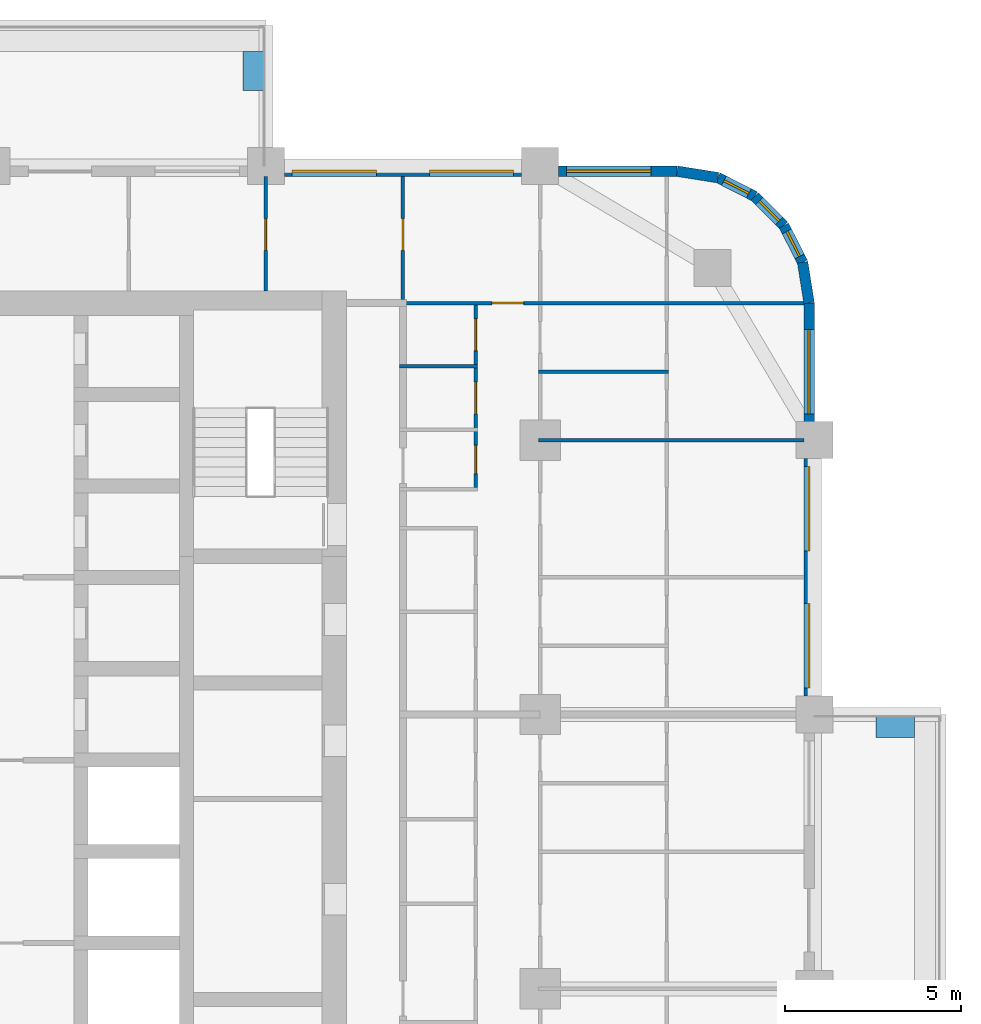
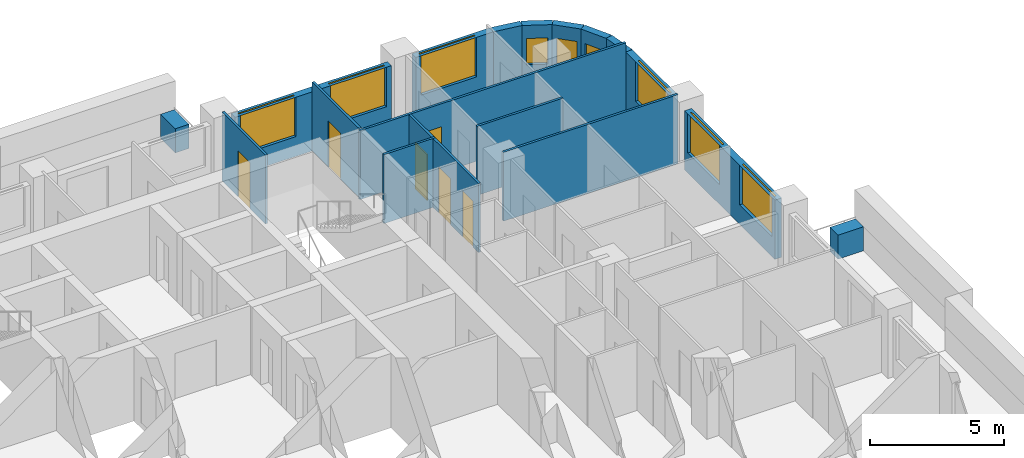
# One storey, part 13 of 17: 18 walls, 9 windows, 6 doors, 15 openings.
"""IFC4 building model written with IfcOpenShell, lengths in metres."""

from ifc_helpers import new_model, si_unit, direction, frame, frame_2d, origin, place, context, subcontext, project, spatial, rectangle, extrude, material, layer, layer_set, type_object, element, fill, save


model = new_model("IFC4")

# Units and contexts
model_context = context("Model", 3, precision=1e-05, world=origin(), true_north=direction((0.0, 1.0)))
body_context = subcontext(model_context, "Body", "Model", "MODEL_VIEW")
ifc_project = project(units=[si_unit("LENGTHUNIT", "METRE"), si_unit("AREAUNIT", "SQUARE_METRE"), si_unit("VOLUMEUNIT", "CUBIC_METRE"), si_unit("PLANEANGLEUNIT", "RADIAN"), si_unit("MASSUNIT", "GRAM", prefix="KILO")], contexts=[model_context])

# Site, building, storey
site_placement = place(None, origin())
site = spatial("IfcSite", under=ifc_project, at=site_placement, CompositionType="ELEMENT")
building_placement = place(site_placement, origin())
building = spatial("IfcBuilding", under=site, at=building_placement, Name="Ludao Terraces", CompositionType="ELEMENT")
storey_placement = place(building_placement, frame((0.0, 0.0, 54.60009765625)))
storey = spatial("IfcBuildingStorey", under=building, at=storey_placement, Name="L14", CompositionType="ELEMENT", Elevation=54.60009765625)

# Walls
ifc_material_1 = material(Name="Concrete C40", Category="concrete")
ifc_layer_1 = layer(ifc_material_1, 0.60009765625)
ifc_layer_set_1 = layer_set([ifc_layer_1], Name="ENV Planter trough 600")
wall_type_1 = type_object("IfcWallType", Name="ENV Planter trough 600", PredefinedType="USERDEFINED", material=ifc_layer_set_1)
wall_1_placement = place(storey_placement, frame((111.25, 72.449951171875, 0.0), z_axis=(0.0, 0.0, 1.0), x_axis=(-1.0, 0.0, 0.0)))
element("IfcWall", 1, at=wall_1_placement, inside=storey, type_object=wall_type_1, Name="PL-L14-E3-SB", ObjectType="PLANTER", PredefinedType="USERDEFINED", context=body_context, shape_type="SweptSolid", body=[
    extrude(rectangle(XDim=1.10009765625, YDim=0.60009765625, at=frame_2d((0.550048828125, 0.0))), origin(), (0.0, 0.0, 1.0), 1.099853515625),
])
wall_2_placement = place(storey_placement, frame((92.449951171875, 91.64990234375, 0.0), z_axis=(0.0, 0.0, 1.0), x_axis=(0.0, -1.0, 0.0)))
element("IfcWall", 2, at=wall_2_placement, inside=storey, type_object=wall_type_1, Name="PL-L14-N3-SB", ObjectType="PLANTER", PredefinedType="USERDEFINED", context=body_context, shape_type="SweptSolid", body=[
    extrude(rectangle(XDim=1.099853515625, YDim=0.60009765625, at=frame_2d((0.5498046875, 0.0))), origin(), (0.0, 0.0, 1.0), 1.099853515625),
])

# Wall, openings, windows
ifc_material_2 = material(Name="Granite cladding", Category="masonry")
ifc_layer_2 = layer(ifc_material_2, 0.0400390625, Category="stone")
ifc_material_3 = material(Name="Mineral wool")
ifc_layer_3 = layer(ifc_material_3, 0.06005859375)
ifc_layer_4 = layer(ifc_material_1, 0.199951171875, Category="concrete")
ifc_layer_set_2 = layer_set([ifc_layer_2, ifc_layer_3, ifc_layer_4], Name="ENV Stone-clad wall 300")
wall_type_2 = type_object("IfcWallType", Name="ENV Stone-clad wall 300", PredefinedType="SOLIDWALL", material=ifc_layer_set_2)
wall_3_placement = place(storey_placement, frame((108.25, 73.324951171875, 0.0), z_axis=(0.0, 0.0, 1.0), x_axis=(0.0, 1.0, 0.0)))
wall_3 = element("IfcWall", 3, at=wall_3_placement, inside=storey, type_object=wall_type_2, Name="EW-L14-E5", PredefinedType="SOLIDWALL", context=body_context, shape_type="SweptSolid", body=[
    extrude(rectangle(XDim=6.75, YDim=0.300048828125, at=frame_2d((3.375, 0.0))), origin(), (0.0, 0.0, 1.0), 2.699951171875),
])
opening_1_placement = place(wall_3_placement, frame((0.22509765625, 0.0, 0.89990234375)))
opening_1 = element("IfcOpeningElement", 4, at=opening_1_placement, cuts=wall_3, Name="Opening W1", PredefinedType="OPENING", context=body_context, shape_type="SweptSolid", body=[
    extrude(rectangle(XDim=2.39990234375, YDim=1.800048828125, at=frame_2d((1.199951171875, 0.89990234375))), frame((0.0, 0.16015625, 0.0), z_axis=(0.0, -1.0, 0.0), x_axis=(1.0, 0.0, 0.0)), (0.0, 0.0, 1.0), 0.320068359375),
])
opening_2_placement = place(wall_3_placement, frame((4.125, 0.0, 0.89990234375)))
opening_2 = element("IfcOpeningElement", 5, at=opening_2_placement, cuts=wall_3, Name="Opening W1", PredefinedType="OPENING", context=body_context, shape_type="SweptSolid", body=[
    extrude(rectangle(XDim=2.39990234375, YDim=1.800048828125, at=frame_2d((1.199951171875, 0.89990234375))), frame((0.0, 0.16015625, 0.0), z_axis=(0.0, -1.0, 0.0), x_axis=(1.0, 0.0, 0.0)), (0.0, 0.0, 1.0), 0.320068359375),
])
ifc_material_4 = material(Name="Clear glass in aluminium frame", Category="aluminium")
ifc_layer_5 = layer(ifc_material_4, 0.06005859375)
ifc_layer_set_3 = layer_set([ifc_layer_5], Name="ENV Window W1 2400x1800")
window_type_1 = type_object("IfcWindowType", Name="ENV Window W1 2400x1800", PartitioningType="DOUBLE_PANEL_VERTICAL", PredefinedType="WINDOW", material=ifc_layer_set_3)
window_1_placement = place(opening_1_placement, origin())
window_1 = element("IfcWindow", 6, at=window_1_placement, inside=storey, type_object=window_type_1, Name="W-L14-E5-1", OverallHeight=1.800048828125, OverallWidth=2.39990234375, PartitioningType="DOUBLE_PANEL_VERTICAL", PredefinedType="WINDOW", context=body_context, shape_type="SweptSolid", body=[
    extrude(rectangle(XDim=2.39990234375, YDim=1.800048828125, at=frame_2d((1.199951171875, 0.89990234375))), frame((0.0, 0.030029296875, 0.0), z_axis=(0.0, -1.0, 0.0), x_axis=(1.0, 0.0, 0.0)), (0.0, 0.0, 1.0), 0.06005859375),
])
fill(opening_1, window_1)
window_2_placement = place(opening_2_placement, origin())
window_2 = element("IfcWindow", 7, at=window_2_placement, inside=storey, type_object=window_type_1, Name="W-L14-E5-2", OverallHeight=1.800048828125, OverallWidth=2.39990234375, PartitioningType="DOUBLE_PANEL_VERTICAL", PredefinedType="WINDOW", context=body_context, shape_type="SweptSolid", body=[
    extrude(rectangle(XDim=2.39990234375, YDim=1.800048828125, at=frame_2d((1.199951171875, 0.89990234375))), frame((0.0, 0.030029296875, 0.0), z_axis=(0.0, -1.0, 0.0), x_axis=(1.0, 0.0, 0.0)), (0.0, 0.0, 1.0), 0.06005859375),
])
fill(opening_2, window_2)

# Wall, opening, window
wall_4_placement = place(storey_placement, frame((108.25, 81.125, 0.0), z_axis=(0.0, 0.0, 1.0), x_axis=(0.0, 1.0, 0.0)))
wall_4 = element("IfcWall", 8, at=wall_4_placement, inside=storey, type_object=wall_type_2, Name="EW-L14-E6", PredefinedType="SOLIDWALL", context=body_context, shape_type="SweptSolid", body=[
    extrude(rectangle(XDim=3.375, YDim=0.300048828125, at=frame_2d((1.6875, 0.0))), origin(), (0.0, 0.0, 1.0), 2.699951171875),
])
opening_3_placement = place(wall_4_placement, frame((0.22509765625, 0.0, 0.89990234375)))
opening_3 = element("IfcOpeningElement", 9, at=opening_3_placement, cuts=wall_4, Name="Opening W1", PredefinedType="OPENING", context=body_context, shape_type="SweptSolid", body=[
    extrude(rectangle(XDim=2.39990234375, YDim=1.800048828125, at=frame_2d((1.199951171875, 0.89990234375))), frame((0.0, 0.16015625, 0.0), z_axis=(0.0, -1.0, 0.0), x_axis=(1.0, 0.0, 0.0)), (0.0, 0.0, 1.0), 0.320068359375),
])
window_3_placement = place(opening_3_placement, origin())
window_3 = element("IfcWindow", 10, at=window_3_placement, inside=storey, type_object=window_type_1, Name="W-L14-E6-1", OverallHeight=1.800048828125, OverallWidth=2.39990234375, PartitioningType="DOUBLE_PANEL_VERTICAL", PredefinedType="WINDOW", context=body_context, shape_type="SweptSolid", body=[
    extrude(rectangle(XDim=2.39990234375, YDim=1.800048828125, at=frame_2d((1.199951171875, 0.89990234375))), frame((0.0, 0.030029296875, 0.0), z_axis=(0.0, -1.0, 0.0), x_axis=(1.0, 0.0, 0.0)), (0.0, 0.0, 1.0), 0.06005859375),
])
fill(opening_3, window_3)

# Wall, openings, windows
wall_5_placement = place(storey_placement, frame((93.324951171875, 88.25, 0.0), z_axis=(0.0, 0.0, 1.0), x_axis=(1.0, 0.0, 0.0)))
wall_5 = element("IfcWall", 11, at=wall_5_placement, inside=storey, type_object=wall_type_2, Name="EW-L14-N5", PredefinedType="SOLIDWALL", context=body_context, shape_type="SweptSolid", body=[
    extrude(rectangle(XDim=6.75, YDim=0.300048828125, at=frame_2d((3.375, 0.0))), origin(), (0.0, 0.0, 1.0), 2.699951171875),
])
opening_4_placement = place(wall_5_placement, frame((0.22509765625, 0.0, 0.89990234375)))
opening_4 = element("IfcOpeningElement", 12, at=opening_4_placement, cuts=wall_5, Name="Opening W1", PredefinedType="OPENING", context=body_context, shape_type="SweptSolid", body=[
    extrude(rectangle(XDim=2.39990234375, YDim=1.800048828125, at=frame_2d((1.199951171875, 0.89990234375))), frame((0.0, 0.16015625, 0.0), z_axis=(0.0, -1.0, 0.0), x_axis=(1.0, 0.0, 0.0)), (0.0, 0.0, 1.0), 0.320068359375),
])
opening_5_placement = place(wall_5_placement, frame((4.125, 0.0, 0.89990234375)))
opening_5 = element("IfcOpeningElement", 13, at=opening_5_placement, cuts=wall_5, Name="Opening W1", PredefinedType="OPENING", context=body_context, shape_type="SweptSolid", body=[
    extrude(rectangle(XDim=2.39990234375, YDim=1.800048828125, at=frame_2d((1.199951171875, 0.89990234375))), frame((0.0, 0.16015625, 0.0), z_axis=(0.0, -1.0, 0.0), x_axis=(1.0, 0.0, 0.0)), (0.0, 0.0, 1.0), 0.320068359375),
])
window_4_placement = place(opening_4_placement, origin())
window_4 = element("IfcWindow", 14, at=window_4_placement, inside=storey, type_object=window_type_1, Name="W-L14-N5-1", OverallHeight=1.800048828125, OverallWidth=2.39990234375, PartitioningType="DOUBLE_PANEL_VERTICAL", PredefinedType="WINDOW", context=body_context, shape_type="SweptSolid", body=[
    extrude(rectangle(XDim=2.39990234375, YDim=1.800048828125, at=frame_2d((1.199951171875, 0.89990234375))), frame((0.0, 0.030029296875, 0.0), z_axis=(0.0, -1.0, 0.0), x_axis=(1.0, 0.0, 0.0)), (0.0, 0.0, 1.0), 0.06005859375),
])
fill(opening_4, window_4)
window_5_placement = place(opening_5_placement, origin())
window_5 = element("IfcWindow", 15, at=window_5_placement, inside=storey, type_object=window_type_1, Name="W-L14-N5-2", OverallHeight=1.800048828125, OverallWidth=2.39990234375, PartitioningType="DOUBLE_PANEL_VERTICAL", PredefinedType="WINDOW", context=body_context, shape_type="SweptSolid", body=[
    extrude(rectangle(XDim=2.39990234375, YDim=1.800048828125, at=frame_2d((1.199951171875, 0.89990234375))), frame((0.0, 0.030029296875, 0.0), z_axis=(0.0, -1.0, 0.0), x_axis=(1.0, 0.0, 0.0)), (0.0, 0.0, 1.0), 0.06005859375),
])
fill(opening_5, window_5)

# Wall, opening, window
wall_6_placement = place(storey_placement, frame((101.125, 88.25, 0.0), z_axis=(0.0, 0.0, 1.0), x_axis=(1.0, 0.0, 0.0)))
wall_6 = element("IfcWall", 16, at=wall_6_placement, inside=storey, type_object=wall_type_2, Name="EW-L14-N6", PredefinedType="SOLIDWALL", context=body_context, shape_type="SweptSolid", body=[
    extrude(rectangle(XDim=3.375, YDim=0.300048828125, at=frame_2d((1.6875, 0.0))), origin(), (0.0, 0.0, 1.0), 2.699951171875),
])
opening_6_placement = place(wall_6_placement, frame((0.22509765625, 0.0, 0.89990234375)))
opening_6 = element("IfcOpeningElement", 17, at=opening_6_placement, cuts=wall_6, Name="Opening W1", PredefinedType="OPENING", context=body_context, shape_type="SweptSolid", body=[
    extrude(rectangle(XDim=2.39990234375, YDim=1.800048828125, at=frame_2d((1.199951171875, 0.89990234375))), frame((0.0, 0.16015625, 0.0), z_axis=(0.0, -1.0, 0.0), x_axis=(1.0, 0.0, 0.0)), (0.0, 0.0, 1.0), 0.320068359375),
])
window_6_placement = place(opening_6_placement, origin())
window_6 = element("IfcWindow", 18, at=window_6_placement, inside=storey, type_object=window_type_1, Name="W-L14-N6-1", OverallHeight=1.800048828125, OverallWidth=2.39990234375, PartitioningType="DOUBLE_PANEL_VERTICAL", PredefinedType="WINDOW", context=body_context, shape_type="SweptSolid", body=[
    extrude(rectangle(XDim=2.39990234375, YDim=1.800048828125, at=frame_2d((1.199951171875, 0.89990234375))), frame((0.0, 0.030029296875, 0.0), z_axis=(0.0, -1.0, 0.0), x_axis=(1.0, 0.0, 0.0)), (0.0, 0.0, 1.0), 0.06005859375),
])
fill(opening_6, window_6)

# Wall
wall_7_placement = place(storey_placement, frame((108.25, 84.5, 0.0), z_axis=(0.0, 0.0, 1.0), x_axis=(-0.156496880861, 0.987678452879, 0.0)))
element("IfcWall", 19, at=wall_7_placement, inside=storey, type_object=wall_type_2, Name="EW-L14-NE1", PredefinedType="SOLIDWALL", context=body_context, shape_type="SweptSolid", body=[
    extrude(rectangle(XDim=1.173095703125, YDim=0.300048828125, at=frame_2d((0.58642578125, 0.0))), origin(), (0.0, 0.0, 1.0), 2.699951171875),
])

# Wall, opening, window
wall_8_placement = place(storey_placement, frame((108.06640625, 85.65869140625, 0.0), z_axis=(0.0, 0.0, 1.0), x_axis=(-0.454025524128, 0.890988677504, 0.0)))
wall_8 = element("IfcWall", 20, at=wall_8_placement, inside=storey, type_object=wall_type_2, Name="EW-L14-NE2", PredefinedType="SOLIDWALL", context=body_context, shape_type="SweptSolid", body=[
    extrude(rectangle(XDim=1.17333984375, YDim=0.300048828125, at=frame_2d((0.586669921875, 0.0))), origin(), (0.0, 0.0, 1.0), 2.699951171875),
])
opening_7_placement = place(wall_8_placement, frame((0.1865234375, 0.0, 0.89990234375)))
opening_7 = element("IfcOpeningElement", 21, at=opening_7_placement, cuts=wall_8, Name="Opening W3", PredefinedType="OPENING", context=body_context, shape_type="SweptSolid", body=[
    extrude(rectangle(XDim=0.800048828125, YDim=1.199951171875, at=frame_2d((0.39990234375, 0.60009765625))), frame((0.0, 0.16015625, 0.0), z_axis=(0.0, -1.0, 0.0), x_axis=(1.0, 0.0, 0.0)), (0.0, 0.0, 1.0), 0.320068359375),
])
ifc_layer_6 = layer(ifc_material_4, 0.06005859375)
ifc_layer_set_4 = layer_set([ifc_layer_6], Name="ENV Window W3 800x1200")
window_type_2 = type_object("IfcWindowType", Name="ENV Window W3 800x1200", PartitioningType="SINGLE_PANEL", PredefinedType="WINDOW", material=ifc_layer_set_4)
window_7_placement = place(opening_7_placement, origin())
window_7 = element("IfcWindow", 22, at=window_7_placement, inside=storey, type_object=window_type_2, Name="W-L14-NE2", OverallHeight=1.199951171875, OverallWidth=0.800048828125, PartitioningType="SINGLE_PANEL", PredefinedType="WINDOW", context=body_context, shape_type="SweptSolid", body=[
    extrude(rectangle(XDim=0.800048828125, YDim=1.199951171875, at=frame_2d((0.39990234375, 0.60009765625))), frame((0.0, 0.030029296875, 0.0), z_axis=(0.0, -1.0, 0.0), x_axis=(1.0, 0.0, 0.0)), (0.0, 0.0, 1.0), 0.06005859375),
])
fill(opening_7, window_7)

wall_9_placement = place(storey_placement, frame((107.53369140625, 86.7041015625, 0.0), z_axis=(0.0, 0.0, 1.0), x_axis=(-0.707106781187, 0.707106781187, 0.0)))
wall_9 = element("IfcWall", 23, at=wall_9_placement, inside=storey, type_object=wall_type_2, Name="EW-L14-NE3", PredefinedType="SOLIDWALL", context=body_context, shape_type="SweptSolid", body=[
    extrude(rectangle(XDim=1.173095703125, YDim=0.300048828125, at=frame_2d((0.58642578125, 0.0))), origin(), (0.0, 0.0, 1.0), 2.699951171875),
])
opening_8_placement = place(wall_9_placement, frame((0.1865234375, 0.0, 0.89990234375)))
opening_8 = element("IfcOpeningElement", 24, at=opening_8_placement, cuts=wall_9, Name="Opening W3", PredefinedType="OPENING", context=body_context, shape_type="SweptSolid", body=[
    extrude(rectangle(XDim=0.800048828125, YDim=1.199951171875, at=frame_2d((0.39990234375, 0.60009765625))), frame((0.0, 0.16015625, 0.0), z_axis=(0.0, -1.0, 0.0), x_axis=(1.0, 0.0, 0.0)), (0.0, 0.0, 1.0), 0.320068359375),
])
window_8_placement = place(opening_8_placement, origin())
window_8 = element("IfcWindow", 25, at=window_8_placement, inside=storey, type_object=window_type_2, Name="W-L14-NE3", OverallHeight=1.199951171875, OverallWidth=0.800048828125, PartitioningType="SINGLE_PANEL", PredefinedType="WINDOW", context=body_context, shape_type="SweptSolid", body=[
    extrude(rectangle(XDim=0.800048828125, YDim=1.199951171875, at=frame_2d((0.39990234375, 0.60009765625))), frame((0.0, 0.030029296875, 0.0), z_axis=(0.0, -1.0, 0.0), x_axis=(1.0, 0.0, 0.0)), (0.0, 0.0, 1.0), 0.06005859375),
])
fill(opening_8, window_8)

wall_10_placement = place(storey_placement, frame((106.7041015625, 87.53369140625, 0.0), z_axis=(0.0, 0.0, 1.0), x_axis=(-0.890988677504, 0.454025524128, 0.0)))
wall_10 = element("IfcWall", 26, at=wall_10_placement, inside=storey, type_object=wall_type_2, Name="EW-L14-NE4", PredefinedType="SOLIDWALL", context=body_context, shape_type="SweptSolid", body=[
    extrude(rectangle(XDim=1.17333984375, YDim=0.300048828125, at=frame_2d((0.586669921875, 0.0))), origin(), (0.0, 0.0, 1.0), 2.699951171875),
])
opening_9_placement = place(wall_10_placement, frame((0.1865234375, 0.0, 0.89990234375)))
opening_9 = element("IfcOpeningElement", 27, at=opening_9_placement, cuts=wall_10, Name="Opening W3", PredefinedType="OPENING", context=body_context, shape_type="SweptSolid", body=[
    extrude(rectangle(XDim=0.800048828125, YDim=1.199951171875, at=frame_2d((0.39990234375, 0.60009765625))), frame((0.0, 0.16015625, 0.0), z_axis=(0.0, -1.0, 0.0), x_axis=(1.0, 0.0, 0.0)), (0.0, 0.0, 1.0), 0.320068359375),
])
window_9_placement = place(opening_9_placement, origin())
window_9 = element("IfcWindow", 28, at=window_9_placement, inside=storey, type_object=window_type_2, Name="W-L14-NE4", OverallHeight=1.199951171875, OverallWidth=0.800048828125, PartitioningType="SINGLE_PANEL", PredefinedType="WINDOW", context=body_context, shape_type="SweptSolid", body=[
    extrude(rectangle(XDim=0.800048828125, YDim=1.199951171875, at=frame_2d((0.39990234375, 0.60009765625))), frame((0.0, 0.030029296875, 0.0), z_axis=(0.0, -1.0, 0.0), x_axis=(1.0, 0.0, 0.0)), (0.0, 0.0, 1.0), 0.06005859375),
])
fill(opening_9, window_9)

# Walls
wall_11_placement = place(storey_placement, frame((105.65869140625, 88.06640625, 0.0), z_axis=(0.0, 0.0, 1.0), x_axis=(-0.987678452879, 0.156496880861, 0.0)))
element("IfcWall", 29, at=wall_11_placement, inside=storey, type_object=wall_type_2, Name="EW-L14-NE5", PredefinedType="SOLIDWALL", context=body_context, shape_type="SweptSolid", body=[
    extrude(rectangle(XDim=1.173095703125, YDim=0.300048828125, at=frame_2d((0.58642578125, 0.0))), origin(), (0.0, 0.0, 1.0), 2.699951171875),
])
ifc_material_5 = material(Name="Gypsum plasterboard", Category="gypsum")
ifc_layer_7 = layer(ifc_material_5, 0.012451171875, Category="gypsum")
ifc_layer_8 = layer(ifc_material_3, 0.06005859375, Name="insulation")
ifc_material_6 = material(Name="Steel Q235", Category="steel")
ifc_layer_9 = layer(ifc_material_6, 0.014892578125, Name="stud")
ifc_layer_10 = layer(ifc_material_5, 0.012451171875, Category="gypsum")
ifc_layer_set_5 = layer_set([ifc_layer_7, ifc_layer_8, ifc_layer_9, ifc_layer_10], Name="INT Partition 100")
wall_type_3 = type_object("IfcWallType", Name="INT Partition 100", PredefinedType="PARTITIONING", material=ifc_layer_set_5)
wall_12_placement = place(storey_placement, frame((100.550048828125, 80.60009765625, 0.0), z_axis=(0.0, 0.0, 1.0), x_axis=(1.0, 0.0, 0.0)))
element("IfcWall", 30, at=wall_12_placement, inside=storey, type_object=wall_type_3, Name="PW-L14-PW071", PredefinedType="PARTITIONING", context=body_context, shape_type="SweptSolid", body=[
    extrude(rectangle(XDim=7.550048828125, YDim=0.10009765625, at=frame_2d((3.77490234375, 0.0))), origin(), (0.0, 0.0, 1.0), 3.14990234375),
])
wall_13_placement = place(storey_placement, frame((100.550048828125, 82.550048828125, 0.0), z_axis=(0.0, 0.0, 1.0), x_axis=(1.0, 0.0, 0.0)))
element("IfcWall", 31, at=wall_13_placement, inside=storey, type_object=wall_type_3, Name="PW-L14-PW074", PredefinedType="PARTITIONING", context=body_context, shape_type="SweptSolid", body=[
    extrude(rectangle(XDim=3.699951171875, YDim=0.10009765625, at=frame_2d((1.85009765625, 0.0))), origin(), (0.0, 0.0, 1.0), 3.14990234375),
])
wall_14_placement = place(storey_placement, frame((96.60009765625, 82.699951171875, 0.0), z_axis=(0.0, 0.0, 1.0), x_axis=(1.0, 0.0, 0.0)))
element("IfcWall", 32, at=wall_14_placement, inside=storey, type_object=wall_type_3, Name="PW-L14-PW075", PredefinedType="PARTITIONING", context=body_context, shape_type="SweptSolid", body=[
    extrude(rectangle(XDim=2.219970703125, YDim=0.10009765625, at=frame_2d((1.10986328125, 0.0))), origin(), (0.0, 0.0, 1.0), 3.14990234375),
])

# Wall, opening, door
wall_15_placement = place(storey_placement, frame((96.60009765625, 84.5, 0.0), z_axis=(0.0, 0.0, 1.0), x_axis=(1.0, 0.0, 0.0)))
wall_15 = element("IfcWall", 33, at=wall_15_placement, inside=storey, type_object=wall_type_3, Name="PW-L14-PW079", PredefinedType="PARTITIONING", context=body_context, shape_type="SweptSolid", body=[
    extrude(rectangle(XDim=11.5, YDim=0.10009765625, at=frame_2d((5.75, 0.0))), origin(), (0.0, 0.0, 1.0), 3.14990234375),
])
opening_10_placement = place(wall_15_placement, frame((2.635009765625, 0.0, 0.0)))
opening_10 = element("IfcOpeningElement", 34, at=opening_10_placement, cuts=wall_15, Name="Opening R04-154", PredefinedType="OPENING", context=body_context, shape_type="SweptSolid", body=[
    extrude(rectangle(XDim=0.89990234375, YDim=2.10009765625, at=frame_2d((0.449951171875, 1.050048828125))), frame((0.0, 0.06005859375, 0.0), z_axis=(0.0, -1.0, 0.0), x_axis=(1.0, 0.0, 0.0)), (0.0, 0.0, 1.0), 0.1201171875),
])
ifc_material_7 = material(Name="Timber door leaf", Category="wood")
door_type_1 = type_object("IfcDoorType", Name="INT Room door 900", OperationType="SINGLE_SWING_LEFT", PredefinedType="DOOR", material=ifc_material_7)
door_1_placement = place(opening_10_placement, origin())
door_1 = element("IfcDoor", 35, at=door_1_placement, inside=storey, type_object=door_type_1, Name="DOOR 154", OperationType="SINGLE_SWING_RIGHT", OverallHeight=2.10009765625, OverallWidth=0.89990234375, PredefinedType="DOOR", context=body_context, shape_type="SweptSolid", body=[
    extrude(rectangle(XDim=0.89990234375, YDim=2.10009765625, at=frame_2d((0.449951171875, 1.050048828125))), frame((0.0, 0.02490234375, 0.0), z_axis=(0.0, -1.0, 0.0), x_axis=(1.0, 0.0, 0.0)), (0.0, 0.0, 1.0), 0.050048828125),
])
fill(opening_10, door_1)

wall_16_placement = place(storey_placement, frame((92.800048828125, 84.85009765625, 0.0), z_axis=(0.0, 0.0, 1.0), x_axis=(0.0, 1.0, 0.0)))
wall_16 = element("IfcWall", 36, at=wall_16_placement, inside=storey, type_object=wall_type_3, Name="PW-L14-PW111", PredefinedType="PARTITIONING", context=body_context, shape_type="SweptSolid", body=[
    extrude(rectangle(XDim=3.25, YDim=0.10009765625, at=frame_2d((1.625, 0.0))), origin(), (0.0, 0.0, 1.0), 3.14990234375),
])
opening_11_placement = place(wall_16_placement, frame((1.14990234375, 0.0, 0.0)))
opening_11 = element("IfcOpeningElement", 37, at=opening_11_placement, cuts=wall_16, Name="Opening R04-161", PredefinedType="OPENING", context=body_context, shape_type="SweptSolid", body=[
    extrude(rectangle(XDim=0.89990234375, YDim=2.10009765625, at=frame_2d((0.449951171875, 1.050048828125))), frame((0.0, 0.06005859375, 0.0), z_axis=(0.0, -1.0, 0.0), x_axis=(1.0, 0.0, 0.0)), (0.0, 0.0, 1.0), 0.1201171875),
])
door_2_placement = place(opening_11_placement, origin())
door_2 = element("IfcDoor", 38, at=door_2_placement, inside=storey, type_object=door_type_1, Name="DOOR 161", OperationType="SINGLE_SWING_LEFT", OverallHeight=2.10009765625, OverallWidth=0.89990234375, PredefinedType="DOOR", context=body_context, shape_type="SweptSolid", body=[
    extrude(rectangle(XDim=0.89990234375, YDim=2.10009765625, at=frame_2d((0.449951171875, 1.050048828125))), frame((0.0, 0.02490234375, 0.0), z_axis=(0.0, -1.0, 0.0), x_axis=(1.0, 0.0, 0.0)), (0.0, 0.0, 1.0), 0.050048828125),
])
fill(opening_11, door_2)

wall_17_placement = place(storey_placement, frame((96.699951171875, 84.60009765625, 0.0), z_axis=(0.0, 0.0, 1.0), x_axis=(0.0, 1.0, 0.0)))
wall_17 = element("IfcWall", 39, at=wall_17_placement, inside=storey, type_object=wall_type_3, Name="PW-L14-PW115", PredefinedType="PARTITIONING", context=body_context, shape_type="SweptSolid", body=[
    extrude(rectangle(XDim=3.5, YDim=0.10009765625, at=frame_2d((1.75, 0.0))), origin(), (0.0, 0.0, 1.0), 3.14990234375),
])
opening_12_placement = place(wall_17_placement, frame((1.39990234375, 0.0, 0.0)))
opening_12 = element("IfcOpeningElement", 40, at=opening_12_placement, cuts=wall_17, Name="Opening R04-162", PredefinedType="OPENING", context=body_context, shape_type="SweptSolid", body=[
    extrude(rectangle(XDim=0.89990234375, YDim=2.10009765625, at=frame_2d((0.449951171875, 1.050048828125))), frame((0.0, 0.06005859375, 0.0), z_axis=(0.0, -1.0, 0.0), x_axis=(1.0, 0.0, 0.0)), (0.0, 0.0, 1.0), 0.1201171875),
])
door_3_placement = place(opening_12_placement, origin())
door_3 = element("IfcDoor", 41, at=door_3_placement, inside=storey, type_object=door_type_1, Name="DOOR 162", OperationType="SINGLE_SWING_RIGHT", OverallHeight=2.10009765625, OverallWidth=0.89990234375, PredefinedType="DOOR", context=body_context, shape_type="SweptSolid", body=[
    extrude(rectangle(XDim=0.89990234375, YDim=2.10009765625, at=frame_2d((0.449951171875, 1.050048828125))), frame((0.0, 0.02490234375, 0.0), z_axis=(0.0, -1.0, 0.0), x_axis=(1.0, 0.0, 0.0)), (0.0, 0.0, 1.0), 0.050048828125),
])
fill(opening_12, door_3)

# Wall, openings, doors
wall_18_placement = place(storey_placement, frame((98.77001953125, 79.25, 0.0), z_axis=(0.0, 0.0, 1.0), x_axis=(0.0, 1.0, 0.0)))
wall_18 = element("IfcWall", 42, at=wall_18_placement, inside=storey, type_object=wall_type_3, Name="PW-L14-PW119", PredefinedType="PARTITIONING", context=body_context, shape_type="SweptSolid", body=[
    extrude(rectangle(XDim=5.2001953125, YDim=0.10009765625, at=frame_2d((2.60009765625, 0.0))), origin(), (0.0, 0.0, 1.0), 3.14990234375),
])
opening_13_placement = place(wall_18_placement, frame((0.400146484375, 0.0, 0.0)))
opening_13 = element("IfcOpeningElement", 43, at=opening_13_placement, cuts=wall_18, Name="Opening R04-138", PredefinedType="OPENING", context=body_context, shape_type="SweptSolid", body=[
    extrude(rectangle(XDim=0.800048828125, YDim=2.10009765625, at=frame_2d((0.39990234375, 1.050048828125))), frame((0.0, 0.06005859375, 0.0), z_axis=(0.0, -1.0, 0.0), x_axis=(1.0, 0.0, 0.0)), (0.0, 0.0, 1.0), 0.1201171875),
])
opening_14_placement = place(wall_18_placement, frame((2.10009765625, 0.0, 0.0)))
opening_14 = element("IfcOpeningElement", 44, at=opening_14_placement, cuts=wall_18, Name="Opening R04-144", PredefinedType="OPENING", context=body_context, shape_type="SweptSolid", body=[
    extrude(rectangle(XDim=0.89990234375, YDim=2.10009765625, at=frame_2d((0.449951171875, 1.050048828125))), frame((0.0, 0.06005859375, 0.0), z_axis=(0.0, -1.0, 0.0), x_axis=(1.0, 0.0, 0.0)), (0.0, 0.0, 1.0), 0.1201171875),
])
opening_15_placement = place(wall_18_placement, frame((3.900146484375, 0.0, 0.0)))
opening_15 = element("IfcOpeningElement", 45, at=opening_15_placement, cuts=wall_18, Name="Opening R04-152", PredefinedType="OPENING", context=body_context, shape_type="SweptSolid", body=[
    extrude(rectangle(XDim=0.89990234375, YDim=2.10009765625, at=frame_2d((0.449951171875, 1.050048828125))), frame((0.0, 0.06005859375, 0.0), z_axis=(0.0, -1.0, 0.0), x_axis=(1.0, 0.0, 0.0)), (0.0, 0.0, 1.0), 0.1201171875),
])
door_type_2 = type_object("IfcDoorType", Name="INT Bathroom door 900", OperationType="SINGLE_SWING_LEFT", PredefinedType="DOOR", material=ifc_material_7)
door_4_placement = place(opening_14_placement, origin())
door_4 = element("IfcDoor", 46, at=door_4_placement, inside=storey, type_object=door_type_2, Name="DOOR 144", OperationType="SINGLE_SWING_LEFT", OverallHeight=2.10009765625, OverallWidth=0.89990234375, PredefinedType="DOOR", context=body_context, shape_type="SweptSolid", body=[
    extrude(rectangle(XDim=0.89990234375, YDim=2.10009765625, at=frame_2d((0.449951171875, 1.050048828125))), frame((0.0, 0.02490234375, 0.0), z_axis=(0.0, -1.0, 0.0), x_axis=(1.0, 0.0, 0.0)), (0.0, 0.0, 1.0), 0.050048828125),
])
fill(opening_14, door_4)
door_5_placement = place(opening_15_placement, origin())
door_5 = element("IfcDoor", 47, at=door_5_placement, inside=storey, type_object=door_type_2, Name="DOOR 152", OperationType="SINGLE_SWING_LEFT", OverallHeight=2.10009765625, OverallWidth=0.89990234375, PredefinedType="DOOR", context=body_context, shape_type="SweptSolid", body=[
    extrude(rectangle(XDim=0.89990234375, YDim=2.10009765625, at=frame_2d((0.449951171875, 1.050048828125))), frame((0.0, 0.02490234375, 0.0), z_axis=(0.0, -1.0, 0.0), x_axis=(1.0, 0.0, 0.0)), (0.0, 0.0, 1.0), 0.050048828125),
])
fill(opening_15, door_5)
door_type_3 = type_object("IfcDoorType", Name="INT Store door 800", OperationType="SINGLE_SWING_LEFT", PredefinedType="DOOR", material=ifc_material_7)
door_6_placement = place(opening_13_placement, origin())
door_6 = element("IfcDoor", 48, at=door_6_placement, inside=storey, type_object=door_type_3, Name="DOOR 138", OperationType="SINGLE_SWING_RIGHT", OverallHeight=2.10009765625, OverallWidth=0.800048828125, PredefinedType="DOOR", context=body_context, shape_type="SweptSolid", body=[
    extrude(rectangle(XDim=0.800048828125, YDim=2.10009765625, at=frame_2d((0.39990234375, 1.050048828125))), frame((0.0, 0.02490234375, 0.0), z_axis=(0.0, -1.0, 0.0), x_axis=(1.0, 0.0, 0.0)), (0.0, 0.0, 1.0), 0.050048828125),
])
fill(opening_13, door_6)

save(model, "model.ifc")
